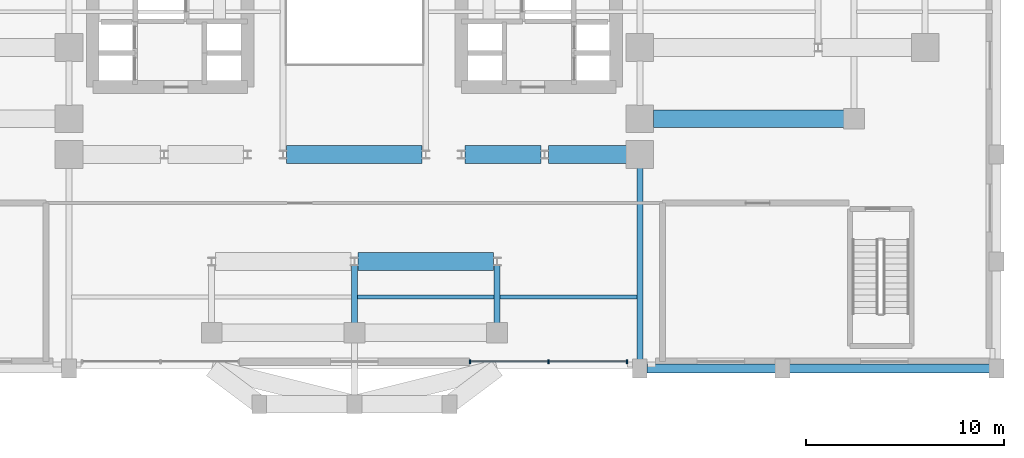
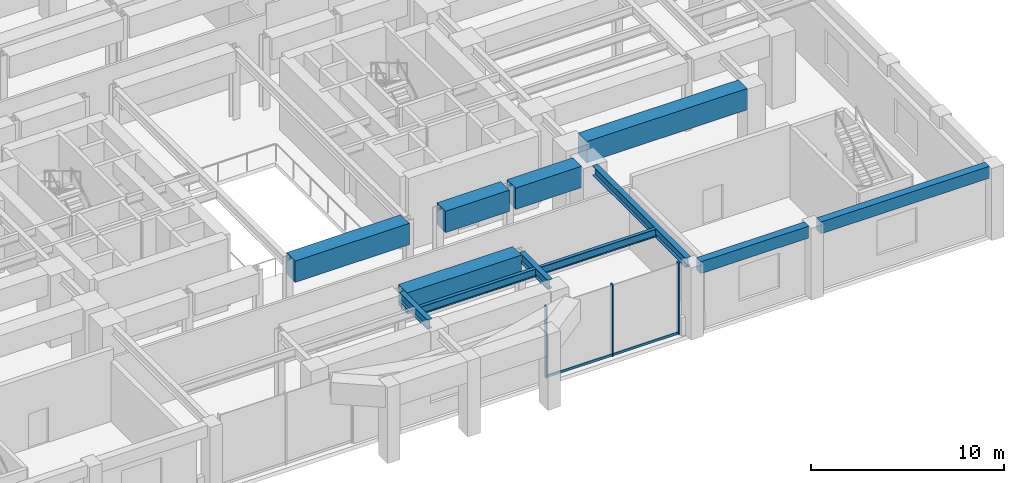
# One storey, part 6 of 14: 12 beams, 5 members, 1 element without a shape of its own.
"""IFC4 building model written with IfcOpenShell, lengths in metres."""

from ifc_helpers import new_model, si_unit, direction, frame, origin, origin_2d, place, context, subcontext, project, spatial, rectangle, i_section, extrude, source, transform, mapped, material, material_profile, profile_set, type_object, element, aggregate, save


model = new_model("IFC4")

# Units and contexts
model_context = context("Model", 3, precision=1e-05, world=origin(), true_north=direction((0.0, 1.0)))
body_context = subcontext(model_context, "Body", "Model", "MODEL_VIEW")
ifc_project = project(units=[si_unit("LENGTHUNIT", "METRE"), si_unit("AREAUNIT", "SQUARE_METRE"), si_unit("VOLUMEUNIT", "CUBIC_METRE"), si_unit("PLANEANGLEUNIT", "RADIAN"), si_unit("MASSUNIT", "GRAM", prefix="KILO")], contexts=[model_context])

# Site, building, storey
site_placement = place(None, origin())
site = spatial("IfcSite", under=ifc_project, at=site_placement, CompositionType="ELEMENT")
building_placement = place(site_placement, origin())
building = spatial("IfcBuilding", under=site, at=building_placement, Name="Keilestroom Media Tower", CompositionType="ELEMENT")
storey_placement = place(building_placement, frame((0.0, 0.0, 15.60009765625)))
storey = spatial("IfcBuildingStorey", under=building, at=storey_placement, Name="L03", CompositionType="ELEMENT", Elevation=15.60009765625)

# Beams
ifc_material_1 = material(Name="Precast concrete C40/50", Category="concrete")
ifc_material_profile_1 = material_profile(ifc_material_1, rectangle(XDim=0.449951171875, YDim=0.75, at=origin_2d()), Name="PC 450x750")
ifc_profile_set_1 = profile_set([ifc_material_profile_1], Name="Precast concrete C40/50")
beam_type_1 = type_object("IfcBeamType", Name="Perimeter-Spandrel-Beam-PC-450x750", PredefinedType="SPANDREL", material=ifc_profile_set_1)
shared_shape_1 = source(origin(), body_context, "Body", "SweptSolid", [
    extrude(rectangle(XDim=0.449951171875, YDim=0.75, at=origin_2d()), origin(), (0.0, 0.0, 1.0), 10.08984375),
])
beam_1_placement = place(storey_placement, frame((21.955078125, -19.800048828125, 4.1748046875), z_axis=(1.0, 0.0, 0.0), x_axis=(0.0, 1.0, 0.0)))
element("IfcBeam", 1, at=beam_1_placement, inside=storey, type_object=beam_type_1, Name="L03 Beam SPB-1 BM-L03-EW-004", PredefinedType="SPANDREL", context=body_context, shape_type="MappedRepresentation", body=[
    mapped(shared_shape_1, transform((0.0, 0.0, 0.0), x_axis=(1.0, 0.0, 0.0), y_axis=(0.0, 1.0, 0.0), z_axis=(0.0, 0.0, 1.0), scale=1.0)),
])
shared_shape_2 = source(origin(), body_context, "Body", "SweptSolid", [
    extrude(rectangle(XDim=0.449951171875, YDim=0.75, at=origin_2d()), origin(), (0.0, 0.0, 1.0), 6.490234375),
])
beam_2_placement = place(storey_placement, frame((14.7548828125, -19.800048828125, 4.1748046875), z_axis=(1.0, 0.0, 0.0), x_axis=(0.0, 1.0, 0.0)))
element("IfcBeam", 2, at=beam_2_placement, inside=storey, type_object=beam_type_1, Name="L03 Beam SPB-1 BM-L03-EW-003", PredefinedType="SPANDREL", context=body_context, shape_type="MappedRepresentation", body=[
    mapped(shared_shape_2, transform((0.0, 0.0, 0.0), x_axis=(1.0, 0.0, 0.0), y_axis=(0.0, 1.0, 0.0), z_axis=(0.0, 0.0, 1.0), scale=1.0)),
])
ifc_material_2 = material(Name="Concrete C55/67", Category="concrete")
ifc_material_profile_2 = material_profile(ifc_material_2, rectangle(XDim=0.89990234375, YDim=1.35009765625, at=origin_2d()), Name="RC 900x1350")
ifc_profile_set_2 = profile_set([ifc_material_profile_2], Name="Concrete C55/67")
beam_type_2 = type_object("IfcBeamType", Name="Primary-Structural-Girder-RC-900x1350", PredefinedType="BEAM", material=ifc_profile_set_2)
shared_shape_3 = source(origin(), body_context, "Body", "SweptSolid", [
    extrude(rectangle(XDim=0.89990234375, YDim=1.35009765625, at=origin_2d()), origin(), (0.0, 0.0, 1.0), 6.833984375),
])
for number, where, z_axis, x_axis, name in (
    (3, (0.18310546875, -14.39990234375, 3.875), (1.0, 0.0, 0.0), (0.0, 1.0, 0.0), "L03 Beam TG-2 BM-L03-EW-008"),
    (4, (-3.4169921875, -9.0, 3.875), (1.0, 0.0, 0.0), (0.0, 1.0, 0.0), "L03 Beam TG-2 BM-L03-EW-012"),
):
    element("IfcBeam", number, at=place(storey_placement, frame(where, z_axis=z_axis, x_axis=x_axis)), inside=storey, type_object=beam_type_2, Name=name, PredefinedType="BEAM", context=body_context, shape_type="MappedRepresentation", body=[
        mapped(shared_shape_3, transform((0.0, 0.0, 0.0), x_axis=(1.0, 0.0, 0.0), y_axis=(0.0, 1.0, 0.0), z_axis=(0.0, 0.0, 1.0), scale=1.0)),
    ])
shared_shape_4 = source(origin(), body_context, "Body", "SweptSolid", [
    extrude(rectangle(XDim=0.89990234375, YDim=1.35009765625, at=origin_2d()), origin(), (0.0, 0.0, 1.0), 3.93701171875),
])
beam_3_placement = place(storey_placement, frame((9.782958984375, -9.0, 3.875), z_axis=(1.0, 0.0, 0.0), x_axis=(0.0, 1.0, 0.0)))
element("IfcBeam", 5, at=beam_3_placement, inside=storey, type_object=beam_type_2, Name="L03 Beam TG-2 BM-L03-EW-015", PredefinedType="BEAM", context=body_context, shape_type="MappedRepresentation", body=[
    mapped(shared_shape_4, transform((0.0, 0.0, 0.0), x_axis=(1.0, 0.0, 0.0), y_axis=(0.0, 1.0, 0.0), z_axis=(0.0, 0.0, 1.0), scale=1.0)),
])
shared_shape_5 = source(origin(), body_context, "Body", "SweptSolid", [
    extrude(rectangle(XDim=0.89990234375, YDim=1.35009765625, at=origin_2d()), origin(), (0.0, 0.0, 1.0), 3.833984375),
])
beam_4_placement = place(storey_placement, frame((5.5830078125, -9.0, 3.875), z_axis=(1.0, 0.0, 0.0), x_axis=(0.0, 1.0, 0.0)))
element("IfcBeam", 6, at=beam_4_placement, inside=storey, type_object=beam_type_2, Name="L03 Beam TG-2 BM-L03-EW-014", PredefinedType="BEAM", context=body_context, shape_type="MappedRepresentation", body=[
    mapped(shared_shape_5, transform((0.0, 0.0, 0.0), x_axis=(1.0, 0.0, 0.0), y_axis=(0.0, 1.0, 0.0), z_axis=(0.0, 0.0, 1.0), scale=1.0)),
])
shared_shape_6 = source(origin(), body_context, "Body", "SweptSolid", [
    extrude(rectangle(XDim=0.89990234375, YDim=1.35009765625, at=origin_2d()), origin(), (0.0, 0.0, 1.0), 9.614990234375),
])
beam_5_placement = place(storey_placement, frame((15.080078125, -7.199951171875, 3.875), z_axis=(1.0, 0.0, 0.0), x_axis=(0.0, 1.0, 0.0)))
element("IfcBeam", 7, at=beam_5_placement, inside=storey, type_object=beam_type_2, Name="L03 Beam TG-2 BM-L03-EW-017", PredefinedType="BEAM", context=body_context, shape_type="MappedRepresentation", body=[
    mapped(shared_shape_6, transform((0.0, 0.0, 0.0), x_axis=(1.0, 0.0, 0.0), y_axis=(0.0, 1.0, 0.0), z_axis=(0.0, 0.0, 1.0), scale=1.0)),
])
ifc_material_3 = material(Name="Steel S355", Category="steel")
ifc_material_profile_3 = material_profile(ifc_material_3, i_section(OverallWidth=0.300048828125, OverallDepth=0.60009765625, WebThickness=0.013427734375, FlangeThickness=0.030029296875, at=origin_2d()), Name="HEB 600")
ifc_profile_set_3 = profile_set([ifc_material_profile_3], Name="Steel S355")
beam_type_3 = type_object("IfcBeamType", Name="Primary-Structural-Girder-HEB-600", PredefinedType="BEAM", material=ifc_profile_set_3)
shared_shape_7 = source(origin(), body_context, "Body", "SweptSolid", [
    extrude(i_section(OverallWidth=0.300048828125, OverallDepth=0.60009765625, WebThickness=0.013427734375, FlangeThickness=0.030029296875, at=origin_2d()), origin(), (0.0, 0.0, 1.0), 9.6650390625),
])
beam_6_placement = place(storey_placement, frame((14.39990234375, -19.344970703125, 4.25), z_axis=(0.0, 1.0, 0.0), x_axis=(-1.0, 0.0, 0.0)))
element("IfcBeam", 8, at=beam_6_placement, inside=storey, type_object=beam_type_3, Name="L03 Beam BG-4 BM-L03-NS-075", PredefinedType="BEAM", context=body_context, shape_type="MappedRepresentation", body=[
    mapped(shared_shape_7, transform((0.0, 0.0, 0.0), x_axis=(1.0, 0.0, 0.0), y_axis=(0.0, 1.0, 0.0), z_axis=(0.0, 0.0, 1.0), scale=1.0)),
])
shared_shape_8 = source(origin(), body_context, "Body", "SweptSolid", [
    extrude(i_section(OverallWidth=0.300048828125, OverallDepth=0.60009765625, WebThickness=0.013427734375, FlangeThickness=0.030029296875, at=origin_2d()), origin(), (0.0, 0.0, 1.0), 2.9072265625),
])
for number, where, z_axis, x_axis, name in (
    (9, (0.0, -17.4951171875, 4.25), (0.0, 1.0, 0.0), (-1.0, 0.0, 0.0), "L03 Beam BG-4 BM-L03-NS-067"),
    (10, (7.199951171875, -17.4951171875, 4.25), (0.0, 1.0, 0.0), (-1.0, 0.0, 0.0), "L03 Beam BG-4 BM-L03-NS-072"),
):
    element("IfcBeam", number, at=place(storey_placement, frame(where, z_axis=z_axis, x_axis=x_axis)), inside=storey, type_object=beam_type_3, Name=name, PredefinedType="BEAM", context=body_context, shape_type="MappedRepresentation", body=[
        mapped(shared_shape_8, transform((0.0, 0.0, 0.0), x_axis=(1.0, 0.0, 0.0), y_axis=(0.0, 1.0, 0.0), z_axis=(0.0, 0.0, 1.0), scale=1.0)),
    ])
ifc_material_profile_4 = material_profile(ifc_material_3, i_section(OverallWidth=0.199951171875, OverallDepth=0.5, WebThickness=0.01025390625, FlangeThickness=0.01611328125, at=origin_2d()), Name="IPE 500")
ifc_profile_set_4 = profile_set([ifc_material_profile_4], Name="Steel S355")
beam_type_4 = type_object("IfcBeamType", Name="Secondary-Floor-Joist-IPE-500", PredefinedType="JOIST", material=ifc_profile_set_4)
shared_shape_9 = source(origin(), body_context, "Body", "SweptSolid", [
    extrude(i_section(OverallWidth=0.199951171875, OverallDepth=0.5, WebThickness=0.01025390625, FlangeThickness=0.01611328125, at=origin_2d()), origin(), (0.0, 0.0, 1.0), 6.93994140625),
])
beam_7_placement = place(storey_placement, frame((7.330078125, -16.199951171875, 4.2998046875), z_axis=(1.0, 0.0, 0.0), x_axis=(0.0, 1.0, 0.0)))
element("IfcBeam", 11, at=beam_7_placement, inside=storey, type_object=beam_type_4, Name="L03 Beam BJ-2 JST-L03-094", PredefinedType="JOIST", context=body_context, shape_type="MappedRepresentation", body=[
    mapped(shared_shape_9, transform((0.0, 0.0, 0.0), x_axis=(1.0, 0.0, 0.0), y_axis=(0.0, 1.0, 0.0), z_axis=(0.0, 0.0, 1.0), scale=1.0)),
])
shared_shape_10 = source(origin(), body_context, "Body", "SweptSolid", [
    extrude(i_section(OverallWidth=0.199951171875, OverallDepth=0.5, WebThickness=0.01025390625, FlangeThickness=0.01611328125, at=origin_2d()), origin(), (0.0, 0.0, 1.0), 6.940185546875),
])
beam_8_placement = place(storey_placement, frame((0.1298828125, -16.199951171875, 4.2998046875), z_axis=(1.0, 0.0, 0.0), x_axis=(0.0, 1.0, 0.0)))
element("IfcBeam", 12, at=beam_8_placement, inside=storey, type_object=beam_type_4, Name="L03 Beam BJ-2 JST-L03-093", PredefinedType="JOIST", context=body_context, shape_type="MappedRepresentation", body=[
    mapped(shared_shape_10, transform((0.0, 0.0, 0.0), x_axis=(1.0, 0.0, 0.0), y_axis=(0.0, 1.0, 0.0), z_axis=(0.0, 0.0, 1.0), scale=1.0)),
])

# Curtain wall, members
ifc_material_4 = material(Name="Anodised Aluminium Alloy", Category="aluminium")
curtain_wall_type = type_object("IfcCurtainWallType", Name="Unitised-Curtain-Wall-CW-5", PredefinedType="NOTDEFINED", material=ifc_material_4)
curtain_wall_placement = place(storey_placement, origin())
curtain_wall = element("IfcCurtainWall", 13, at=curtain_wall_placement, inside=storey, type_object=curtain_wall_type, Name="L03 Curtain Wall CW-5 CW-L03-S-ATE", PredefinedType="NOTDEFINED")
ifc_material_profile_5 = material_profile(ifc_material_4, rectangle(XDim=0.06494140625, YDim=0.14990234375, at=origin_2d()), Name="ALU TRANSOM 65x150")
ifc_profile_set_5 = profile_set([ifc_material_profile_5], Name="Anodised Aluminium Alloy")
member_type_1 = type_object("IfcMemberType", Name="Curtain-Wall-Transom-CW-5", PredefinedType="USERDEFINED", material=ifc_profile_set_5)
shared_shape_11 = source(origin(), body_context, "Body", "SweptSolid", [
    extrude(rectangle(XDim=0.06494140625, YDim=0.14990234375, at=origin_2d()), origin(), (0.0, 0.0, 1.0), 3.888916015625),
])
member_1_placement = place(storey_placement, frame((9.822998046875, -19.449951171875, 0.074951171875), z_axis=(1.0, 0.0, 0.0), x_axis=(0.0, 1.0, 0.0)))
member_1 = element("IfcMember", 14, at=member_1_placement, type_object=member_type_1, Name="CW-5 Transom 01.1", ObjectType="TRANSOM", PredefinedType="USERDEFINED", context=body_context, shape_type="MappedRepresentation", body=[
    mapped(shared_shape_11, transform((0.0, 0.0, 0.0), x_axis=(1.0, 0.0, 0.0), y_axis=(0.0, 1.0, 0.0), z_axis=(0.0, 0.0, 1.0), scale=1.0)),
])
shared_shape_12 = source(origin(), body_context, "Body", "SweptSolid", [
    extrude(rectangle(XDim=0.06494140625, YDim=0.14990234375, at=origin_2d()), origin(), (0.0, 0.0, 1.0), 3.88916015625),
])
member_2_placement = place(storey_placement, frame((5.867919921875, -19.449951171875, 0.074951171875), z_axis=(1.0, 0.0, 0.0), x_axis=(0.0, 1.0, 0.0)))
member_2 = element("IfcMember", 15, at=member_2_placement, type_object=member_type_1, Name="CW-5 Transom 00.1", ObjectType="TRANSOM", PredefinedType="USERDEFINED", context=body_context, shape_type="MappedRepresentation", body=[
    mapped(shared_shape_12, transform((0.0, 0.0, 0.0), x_axis=(1.0, 0.0, 0.0), y_axis=(0.0, 1.0, 0.0), z_axis=(0.0, 0.0, 1.0), scale=1.0)),
])
ifc_material_profile_6 = material_profile(ifc_material_4, rectangle(XDim=0.070068359375, YDim=0.199951171875, at=origin_2d()), Name="ALU MULLION 70x200")
ifc_profile_set_6 = profile_set([ifc_material_profile_6], Name="Anodised Aluminium Alloy")
member_type_2 = type_object("IfcMemberType", Name="Curtain-Wall-Mullion-CW-5", PredefinedType="MULLION", material=ifc_profile_set_6)
shared_shape_13 = source(origin(), body_context, "Body", "SweptSolid", [
    extrude(rectangle(XDim=0.070068359375, YDim=0.199951171875, at=origin_2d()), origin(), (0.0, 0.0, 1.0), 4.5498046875),
])
member_3_placement = place(storey_placement, frame((5.8349609375, -19.449951171875, 0.0), z_axis=(0.0, 0.0, 1.0), x_axis=(1.0, 0.0, 0.0)))
member_3 = element("IfcMember", 16, at=member_3_placement, type_object=member_type_2, Name="CW-5 Mullion 00", PredefinedType="MULLION", context=body_context, shape_type="MappedRepresentation", body=[
    mapped(shared_shape_13, transform((0.0, 0.0, 0.0), x_axis=(1.0, 0.0, 0.0), y_axis=(0.0, 1.0, 0.0), z_axis=(0.0, 0.0, 1.0), scale=1.0)),
])
member_4_placement = place(storey_placement, frame((9.7900390625, -19.449951171875, 0.0), z_axis=(0.0, 0.0, 1.0), x_axis=(1.0, 0.0, 0.0)))
member_4 = element("IfcMember", 17, at=member_4_placement, type_object=member_type_2, Name="CW-5 Mullion 01", PredefinedType="MULLION", context=body_context, shape_type="MappedRepresentation", body=[
    mapped(shared_shape_13, transform((0.0, 0.0, 0.0), x_axis=(1.0, 0.0, 0.0), y_axis=(0.0, 1.0, 0.0), z_axis=(0.0, 0.0, 1.0), scale=1.0)),
])
member_5_placement = place(storey_placement, frame((13.7451171875, -19.449951171875, 0.0), z_axis=(0.0, 0.0, 1.0), x_axis=(1.0, 0.0, 0.0)))
member_5 = element("IfcMember", 18, at=member_5_placement, type_object=member_type_2, Name="CW-5 Mullion 02", PredefinedType="MULLION", context=body_context, shape_type="MappedRepresentation", body=[
    mapped(shared_shape_13, transform((0.0, 0.0, 0.0), x_axis=(1.0, 0.0, 0.0), y_axis=(0.0, 1.0, 0.0), z_axis=(0.0, 0.0, 1.0), scale=1.0)),
])
aggregate(curtain_wall, [member_3, member_4, member_5, member_2, member_1])

save(model, "model.ifc")
